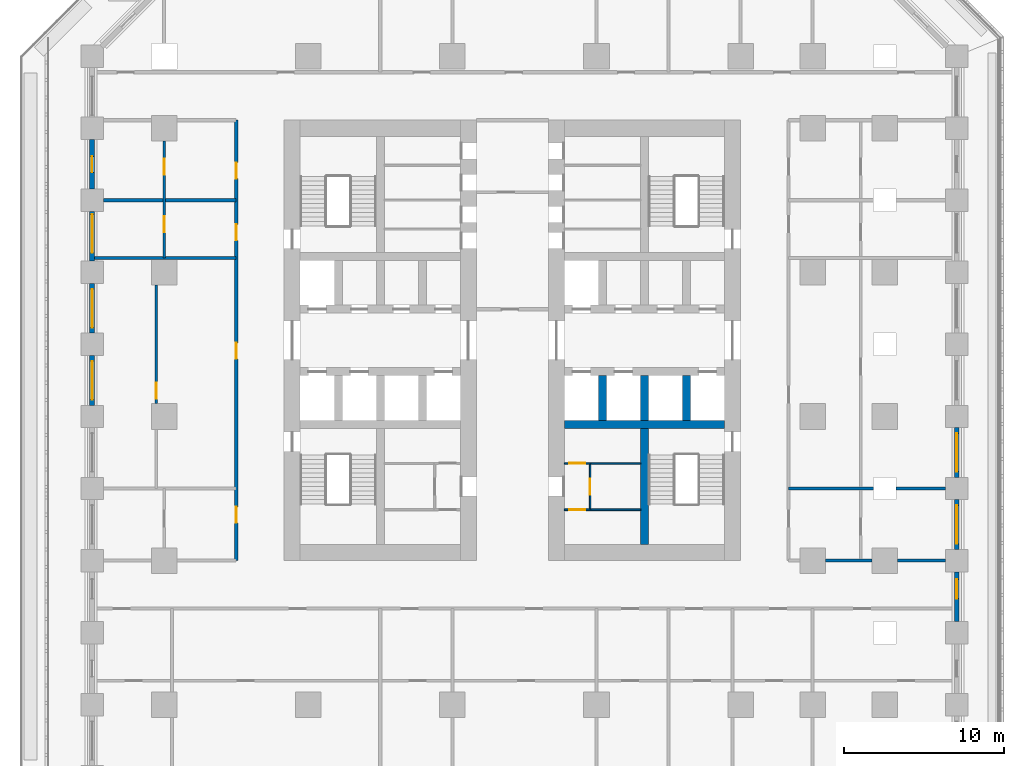
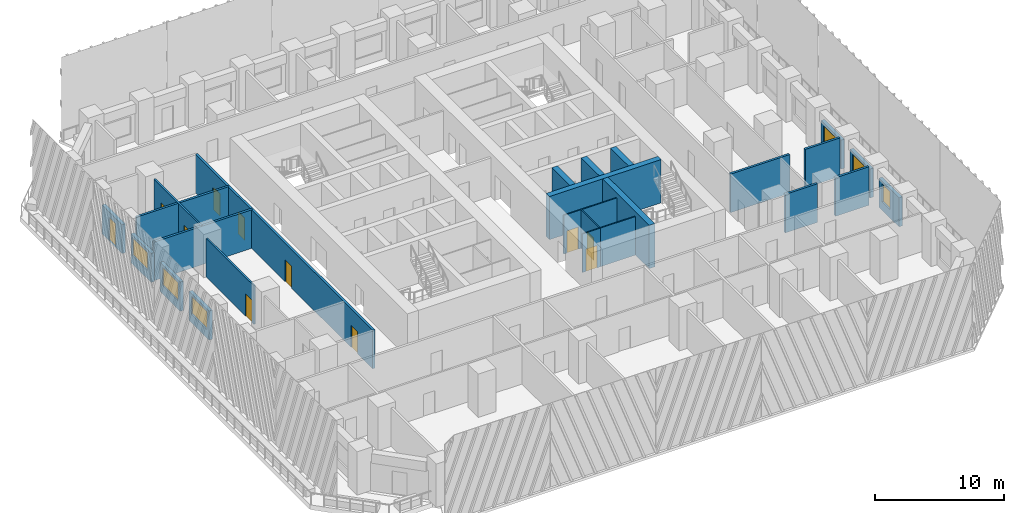
# One storey, part 5 of 15: 26 walls, 11 doors, 6 windows, 17 openings.
"""IFC4 building model written with IfcOpenShell, lengths in metres."""

from ifc_helpers import new_model, si_unit, direction, frame, frame_2d, origin, place, context, subcontext, project, spatial, rectangle, extrude, material, layer, layer_set, type_object, element, fill, save


model = new_model("IFC4")

# Units and contexts
model_context = context("Model", 3, precision=1e-05, world=origin(), true_north=direction((0.0, 1.0)))
body_context = subcontext(model_context, "Body", "Model", "MODEL_VIEW")
ifc_project = project(units=[si_unit("LENGTHUNIT", "METRE"), si_unit("AREAUNIT", "SQUARE_METRE"), si_unit("VOLUMEUNIT", "CUBIC_METRE"), si_unit("PLANEANGLEUNIT", "RADIAN"), si_unit("MASSUNIT", "GRAM", prefix="KILO")], contexts=[model_context])

# Site, building, storey
site_placement = place(None, origin())
site = spatial("IfcSite", under=ifc_project, at=site_placement, CompositionType="ELEMENT")
building_placement = place(site_placement, origin())
building = spatial("IfcBuilding", under=site, at=building_placement, Name="Corbel Stack Research Tower", CompositionType="ELEMENT")
storey_placement = place(building_placement, frame((0.0, 0.0, 41.89990234375)))
storey = spatial("IfcBuildingStorey", under=building, at=storey_placement, Name="L09", CompositionType="ELEMENT", Elevation=41.89990234375)

# Walls
ifc_material_1 = material(Name="Concrete C70/85", Category="concrete")
ifc_layer_1 = layer(ifc_material_1, 0.5)
ifc_layer_set_1 = layer_set([ifc_layer_1], Name="Concrete C70/85")
wall_type_1 = type_object("IfcWallType", Name="CW-500-70", PredefinedType="SHEAR", material=ifc_layer_set_1)
wall_1_placement = place(storey_placement, frame((7.0, -0.5, 0.0), z_axis=(0.0, 0.0, 1.0), x_axis=(1.0, 0.0, 0.0)))
element("IfcWall", 1, at=wall_1_placement, inside=storey, type_object=wall_type_1, Name="East core wall, south row back L09", PredefinedType="SHEAR", context=body_context, shape_type="SweptSolid", body=[
    extrude(rectangle(XDim=10.0, YDim=0.5, at=frame_2d((5.0, 0.0))), origin(), (0.0, 0.0, 1.0), 4.10009765625),
])
for number, where, z_axis, x_axis, name in (
    (2, (9.375, -0.25, 0.0), (0.0, 0.0, 1.0), (0.0, 1.0, 0.0), "East core wall, south shaft 1 L09"),
    (3, (12.0, -0.25, 0.0), (0.0, 0.0, 1.0), (0.0, 1.0, 0.0), "East core wall, south shaft 2 L09"),
    (4, (14.625, -0.25, 0.0), (0.0, 0.0, 1.0), (0.0, 1.0, 0.0), "East core wall, south shaft 3 L09"),
):
    element("IfcWall", number, at=place(storey_placement, frame(where, z_axis=z_axis, x_axis=x_axis)), inside=storey, type_object=wall_type_1, Name=name, PredefinedType="SHEAR", context=body_context, shape_type="SweptSolid", body=[
        extrude(rectangle(XDim=2.800048828125, YDim=0.5, at=frame_2d((1.39990234375, 0.0))), origin(), (0.0, 0.0, 1.0), 4.10009765625),
    ])
wall_2_placement = place(storey_placement, frame((12.0, -8.0, 0.0), z_axis=(0.0, 0.0, 1.0), x_axis=(0.0, 1.0, 0.0)))
element("IfcWall", 5, at=wall_2_placement, inside=storey, type_object=wall_type_1, Name="East core wall, south stair and WC L09", PredefinedType="SHEAR", context=body_context, shape_type="SweptSolid", body=[
    extrude(rectangle(XDim=7.25, YDim=0.5, at=frame_2d((3.625, 0.0))), origin(), (0.0, 0.0, 1.0), 4.10009765625),
])

# Wall, opening, door
ifc_material_2 = material(Name="Gypsum board")
ifc_layer_2 = layer(ifc_material_2, 0.10009765625)
ifc_layer_set_2 = layer_set([ifc_layer_2], Name="Gypsum board")
wall_type_2 = type_object("IfcWallType", Name="Core partition 100", PredefinedType="PARTITIONING", material=ifc_layer_set_2)
wall_3_placement = place(storey_placement, frame((7.0, -5.824951171875, 0.0), z_axis=(0.0, 0.0, 1.0), x_axis=(1.0, 0.0, 0.0)))
wall_3 = element("IfcWall", 6, at=wall_3_placement, inside=storey, type_object=wall_type_2, Name="Core partition E", PredefinedType="PARTITIONING", context=body_context, shape_type="SweptSolid", body=[
    extrude(rectangle(XDim=1.60009765625, YDim=0.10009765625, at=frame_2d((0.800048828125, 0.0))), origin(), (0.0, 0.0, 1.0), 3.650146484375),
])
opening_1_placement = place(wall_3_placement, frame((0.300048828125, 0.0, 0.0)))
opening_1 = element("IfcOpeningElement", 7, at=opening_1_placement, cuts=wall_3, Name="Opening CR-E36-W2-1000", PredefinedType="OPENING", context=body_context, shape_type="SweptSolid", body=[
    extrude(rectangle(XDim=1.0, YDim=2.10009765625, at=frame_2d((0.5, 1.050048828125))), frame((0.0, 0.06005859375, 0.0), z_axis=(0.0, -1.0, 0.0), x_axis=(1.0, 0.0, 0.0)), (0.0, 0.0, 1.0), 0.1201171875),
])
ifc_material_3 = material(Name="Painted timber door", Category="wood")
door_type_1 = type_object("IfcDoorType", Name="WC door 1000 x 2100 left hand", OperationType="SINGLE_SWING_LEFT", PredefinedType="DOOR", material=ifc_material_3)
door_1_placement = place(opening_1_placement, origin())
door_1 = element("IfcDoor", 8, at=door_1_placement, inside=storey, type_object=door_type_1, Name="Men's WC door E core", OperationType="SINGLE_SWING_LEFT", OverallHeight=2.10009765625, OverallWidth=1.0, PredefinedType="DOOR", context=body_context, shape_type="SweptSolid", body=[
    extrude(rectangle(XDim=1.0, YDim=2.10009765625, at=frame_2d((0.5, 1.050048828125))), frame((0.0, 0.02490234375, 0.0), z_axis=(0.0, -1.0, 0.0), x_axis=(1.0, 0.0, 0.0)), (0.0, 0.0, 1.0), 0.050048828125),
])
fill(opening_1, door_1)

wall_4_placement = place(storey_placement, frame((7.0, -2.925048828125, 0.0), z_axis=(0.0, 0.0, 1.0), x_axis=(1.0, 0.0, 0.0)))
wall_4 = element("IfcWall", 9, at=wall_4_placement, inside=storey, type_object=wall_type_2, Name="Core partition E", PredefinedType="PARTITIONING", context=body_context, shape_type="SweptSolid", body=[
    extrude(rectangle(XDim=1.60009765625, YDim=0.10009765625, at=frame_2d((0.800048828125, 0.0))), origin(), (0.0, 0.0, 1.0), 3.650146484375),
])
opening_2_placement = place(wall_4_placement, frame((0.300048828125, 0.0, 0.0)))
opening_2 = element("IfcOpeningElement", 10, at=opening_2_placement, cuts=wall_4, Name="Opening CR-E36-W3-1000", PredefinedType="OPENING", context=body_context, shape_type="SweptSolid", body=[
    extrude(rectangle(XDim=1.0, YDim=2.10009765625, at=frame_2d((0.5, 1.050048828125))), frame((0.0, 0.06005859375, 0.0), z_axis=(0.0, -1.0, 0.0), x_axis=(1.0, 0.0, 0.0)), (0.0, 0.0, 1.0), 0.1201171875),
])
ifc_material_4 = material(Name="Painted timber door", Category="wood")
door_type_2 = type_object("IfcDoorType", Name="WC door 1000 x 2100 right hand", OperationType="SINGLE_SWING_RIGHT", PredefinedType="DOOR", material=ifc_material_4)
door_2_placement = place(opening_2_placement, origin())
door_2 = element("IfcDoor", 11, at=door_2_placement, inside=storey, type_object=door_type_2, Name="Women's WC door E core", OperationType="SINGLE_SWING_RIGHT", OverallHeight=2.10009765625, OverallWidth=1.0, PredefinedType="DOOR", context=body_context, shape_type="SweptSolid", body=[
    extrude(rectangle(XDim=1.0, YDim=2.10009765625, at=frame_2d((0.5, 1.050048828125))), frame((0.0, 0.02490234375, 0.0), z_axis=(0.0, -1.0, 0.0), x_axis=(1.0, 0.0, 0.0)), (0.0, 0.0, 1.0), 0.050048828125),
])
fill(opening_2, door_2)

wall_5_placement = place(storey_placement, frame((8.60009765625, -5.824951171875, 0.0), z_axis=(0.0, 0.0, 1.0), x_axis=(0.0, 1.0, 0.0)))
wall_5 = element("IfcWall", 12, at=wall_5_placement, inside=storey, type_object=wall_type_2, Name="Core partition E", PredefinedType="PARTITIONING", context=body_context, shape_type="SweptSolid", body=[
    extrude(rectangle(XDim=2.89990234375, YDim=0.10009765625, at=frame_2d((1.449951171875, 0.0))), origin(), (0.0, 0.0, 1.0), 3.650146484375),
])
opening_3_placement = place(wall_5_placement, frame((0.949951171875, 0.0, 0.0)))
opening_3 = element("IfcOpeningElement", 13, at=opening_3_placement, cuts=wall_5, Name="Opening CR-E36-W4-1000", PredefinedType="OPENING", context=body_context, shape_type="SweptSolid", body=[
    extrude(rectangle(XDim=1.0, YDim=2.10009765625, at=frame_2d((0.5, 1.050048828125))), frame((0.0, 0.06005859375, 0.0), z_axis=(0.0, -1.0, 0.0), x_axis=(1.0, 0.0, 0.0)), (0.0, 0.0, 1.0), 0.1201171875),
])
door_3_placement = place(opening_3_placement, origin())
door_3 = element("IfcDoor", 14, at=door_3_placement, inside=storey, type_object=door_type_1, Name="Accessible WC door E core", OperationType="SINGLE_SWING_LEFT", OverallHeight=2.10009765625, OverallWidth=1.0, PredefinedType="DOOR", context=body_context, shape_type="SweptSolid", body=[
    extrude(rectangle(XDim=1.0, YDim=2.10009765625, at=frame_2d((0.5, 1.050048828125))), frame((0.0, 0.02490234375, 0.0), z_axis=(0.0, -1.0, 0.0), x_axis=(1.0, 0.0, 0.0)), (0.0, 0.0, 1.0), 0.050048828125),
])
fill(opening_3, door_3)

# Walls
for number, where, z_axis, x_axis, name in (
    (15, (8.60009765625, -5.824951171875, 0.0), (0.0, 0.0, 1.0), (1.0, 0.0, 0.0), "Core partition E"),
    (16, (8.60009765625, -2.925048828125, 0.0), (0.0, 0.0, 1.0), (1.0, 0.0, 0.0), "Core partition E"),
):
    element("IfcWall", number, at=place(storey_placement, frame(where, z_axis=z_axis, x_axis=x_axis)), inside=storey, type_object=wall_type_2, Name=name, PredefinedType="PARTITIONING", context=body_context, shape_type="SweptSolid", body=[
        extrude(rectangle(XDim=3.14990234375, YDim=0.10009765625, at=frame_2d((1.574951171875, 0.0))), origin(), (0.0, 0.0, 1.0), 3.650146484375),
    ])

# Wall, openings, doors
ifc_material_5 = material(Name="Fire-rated gypsum board partition on steel studs", Category="steel")
ifc_layer_3 = layer(ifc_material_5, 0.199951171875)
ifc_layer_set_3 = layer_set([ifc_layer_3], Name="Fire-rated gypsum board partition on steel studs")
wall_type_3 = type_object("IfcWallType", Name="Fire-rated partition 200 EI 60", PredefinedType="PARTITIONING", material=ifc_layer_set_3)
wall_6_placement = place(storey_placement, frame((-13.5, -9.0, 0.0), z_axis=(0.0, 0.0, 1.0), x_axis=(0.0, 1.0, 0.0)))
wall_6 = element("IfcWall", 17, at=wall_6_placement, inside=storey, type_object=wall_type_3, Name="Partition L09-008", PredefinedType="PARTITIONING", context=body_context, shape_type="SweptSolid", body=[
    extrude(rectangle(XDim=27.5, YDim=0.199951171875, at=frame_2d((13.75, 0.0))), origin(), (0.0, 0.0, 1.0), 3.650146484375),
])
opening_4_placement = place(wall_6_placement, frame((2.35009765625, 0.0, 0.0)))
opening_4 = element("IfcOpeningElement", 18, at=opening_4_placement, cuts=wall_6, Name="Opening B2V0H-013", PredefinedType="OPENING", context=body_context, shape_type="SweptSolid", body=[
    extrude(rectangle(XDim=1.0, YDim=2.10009765625, at=frame_2d((0.5, 1.050048828125))), frame((0.0, 0.10986328125, 0.0), z_axis=(0.0, -1.0, 0.0), x_axis=(1.0, 0.0, 0.0)), (0.0, 0.0, 1.0), 0.219970703125),
])
opening_5_placement = place(wall_6_placement, frame((12.60009765625, 0.0, 0.0)))
opening_5 = element("IfcOpeningElement", 19, at=opening_5_placement, cuts=wall_6, Name="Opening B2V0H-014", PredefinedType="OPENING", context=body_context, shape_type="SweptSolid", body=[
    extrude(rectangle(XDim=1.0, YDim=2.10009765625, at=frame_2d((0.5, 1.050048828125))), frame((0.0, 0.10986328125, 0.0), z_axis=(0.0, -1.0, 0.0), x_axis=(1.0, 0.0, 0.0)), (0.0, 0.0, 1.0), 0.219970703125),
])
opening_6_placement = place(wall_6_placement, frame((20.0, 0.0, 0.0)))
opening_6 = element("IfcOpeningElement", 20, at=opening_6_placement, cuts=wall_6, Name="Opening B2V0H-015", PredefinedType="OPENING", context=body_context, shape_type="SweptSolid", body=[
    extrude(rectangle(XDim=1.0, YDim=2.10009765625, at=frame_2d((0.5, 1.050048828125))), frame((0.0, 0.10986328125, 0.0), z_axis=(0.0, -1.0, 0.0), x_axis=(1.0, 0.0, 0.0)), (0.0, 0.0, 1.0), 0.219970703125),
])
opening_7_placement = place(wall_6_placement, frame((23.85009765625, 0.0, 0.0)))
opening_7 = element("IfcOpeningElement", 21, at=opening_7_placement, cuts=wall_6, Name="Opening B2V0H-016", PredefinedType="OPENING", context=body_context, shape_type="SweptSolid", body=[
    extrude(rectangle(XDim=1.0, YDim=2.10009765625, at=frame_2d((0.5, 1.050048828125))), frame((0.0, 0.10986328125, 0.0), z_axis=(0.0, -1.0, 0.0), x_axis=(1.0, 0.0, 0.0)), (0.0, 0.0, 1.0), 0.219970703125),
])
ifc_material_6 = material(Name="Painted steel fire door", Category="steel")
door_type_3 = type_object("IfcDoorType", Name="Fire door FD30S 1000 x 2100", OperationType="NOTDEFINED", PredefinedType="DOOR", material=ifc_material_6)
door_4_placement = place(opening_4_placement, origin())
door_4 = element("IfcDoor", 22, at=door_4_placement, inside=storey, type_object=door_type_3, Name="Door B2V0H-013", OperationType="SINGLE_SWING_LEFT", OverallHeight=2.10009765625, OverallWidth=1.0, PredefinedType="DOOR", context=body_context, shape_type="SweptSolid", body=[
    extrude(rectangle(XDim=1.0, YDim=2.10009765625, at=frame_2d((0.5, 1.050048828125))), frame((0.0, 0.02490234375, 0.0), z_axis=(0.0, -1.0, 0.0), x_axis=(1.0, 0.0, 0.0)), (0.0, 0.0, 1.0), 0.050048828125),
])
fill(opening_4, door_4)
door_5_placement = place(opening_5_placement, origin())
door_5 = element("IfcDoor", 23, at=door_5_placement, inside=storey, type_object=door_type_3, Name="Door B2V0H-014", OperationType="SINGLE_SWING_LEFT", OverallHeight=2.10009765625, OverallWidth=1.0, PredefinedType="DOOR", context=body_context, shape_type="SweptSolid", body=[
    extrude(rectangle(XDim=1.0, YDim=2.10009765625, at=frame_2d((0.5, 1.050048828125))), frame((0.0, 0.02490234375, 0.0), z_axis=(0.0, -1.0, 0.0), x_axis=(1.0, 0.0, 0.0)), (0.0, 0.0, 1.0), 0.050048828125),
])
fill(opening_5, door_5)
door_6_placement = place(opening_6_placement, origin())
door_6 = element("IfcDoor", 24, at=door_6_placement, inside=storey, type_object=door_type_3, Name="Door B2V0H-015", OperationType="SINGLE_SWING_RIGHT", OverallHeight=2.10009765625, OverallWidth=1.0, PredefinedType="DOOR", context=body_context, shape_type="SweptSolid", body=[
    extrude(rectangle(XDim=1.0, YDim=2.10009765625, at=frame_2d((0.5, 1.050048828125))), frame((0.0, 0.02490234375, 0.0), z_axis=(0.0, -1.0, 0.0), x_axis=(1.0, 0.0, 0.0)), (0.0, 0.0, 1.0), 0.050048828125),
])
fill(opening_6, door_6)
door_7_placement = place(opening_7_placement, origin())
door_7 = element("IfcDoor", 25, at=door_7_placement, inside=storey, type_object=door_type_3, Name="Door B2V0H-016", OperationType="SINGLE_SWING_RIGHT", OverallHeight=2.10009765625, OverallWidth=1.0, PredefinedType="DOOR", context=body_context, shape_type="SweptSolid", body=[
    extrude(rectangle(XDim=1.0, YDim=2.10009765625, at=frame_2d((0.5, 1.050048828125))), frame((0.0, 0.02490234375, 0.0), z_axis=(0.0, -1.0, 0.0), x_axis=(1.0, 0.0, 0.0)), (0.0, 0.0, 1.0), 0.050048828125),
])
fill(opening_7, door_7)

# Walls
wall_7_placement = place(storey_placement, frame((23.300048828125, -9.0, 0.0), z_axis=(0.0, 0.0, 1.0), x_axis=(1.0, 0.0, 0.0)))
element("IfcWall", 26, at=wall_7_placement, inside=storey, type_object=wall_type_3, Name="Partition L09-032", PredefinedType="PARTITIONING", context=body_context, shape_type="SweptSolid", body=[
    extrude(rectangle(XDim=2.89990234375, YDim=0.199951171875, at=frame_2d((1.449951171875, 0.0))), origin(), (0.0, 0.0, 1.0), 3.650146484375),
])
wall_8_placement = place(storey_placement, frame((27.800048828125, -9.0, 0.0), z_axis=(0.0, 0.0, 1.0), x_axis=(1.0, 0.0, 0.0)))
element("IfcWall", 27, at=wall_8_placement, inside=storey, type_object=wall_type_3, Name="Partition L09-033", PredefinedType="PARTITIONING", context=body_context, shape_type="SweptSolid", body=[
    extrude(rectangle(XDim=3.0, YDim=0.199951171875, at=frame_2d((1.5, 0.0))), origin(), (0.0, 0.0, 1.0), 3.650146484375),
])
wall_9_placement = place(storey_placement, frame((21.0, -4.5, 0.0), z_axis=(0.0, 0.0, 1.0), x_axis=(1.0, 0.0, 0.0)))
element("IfcWall", 28, at=wall_9_placement, inside=storey, type_object=wall_type_3, Name="Partition L09-035", PredefinedType="PARTITIONING", context=body_context, shape_type="SweptSolid", body=[
    extrude(rectangle(XDim=5.300048828125, YDim=0.199951171875, at=frame_2d((2.64990234375, 0.0))), origin(), (0.0, 0.0, 1.0), 3.650146484375),
])
wall_10_placement = place(storey_placement, frame((27.699951171875, -4.5, 0.0), z_axis=(0.0, 0.0, 1.0), x_axis=(1.0, 0.0, 0.0)))
element("IfcWall", 29, at=wall_10_placement, inside=storey, type_object=wall_type_3, Name="Partition L09-036", PredefinedType="PARTITIONING", context=body_context, shape_type="SweptSolid", body=[
    extrude(rectangle(XDim=3.10009765625, YDim=0.199951171875, at=frame_2d((1.550048828125, 0.0))), origin(), (0.0, 0.0, 1.0), 3.650146484375),
])
wall_11_placement = place(storey_placement, frame((-22.35009765625, 9.89990234375, 0.0), z_axis=(0.0, 0.0, 1.0), x_axis=(1.0, 0.0, 0.0)))
element("IfcWall", 30, at=wall_11_placement, inside=storey, type_object=wall_type_3, Name="Partition L09-038", PredefinedType="PARTITIONING", context=body_context, shape_type="SweptSolid", body=[
    extrude(rectangle(XDim=8.85009765625, YDim=0.199951171875, at=frame_2d((4.425048828125, 0.0))), origin(), (0.0, 0.0, 1.0), 3.650146484375),
])
wall_12_placement = place(storey_placement, frame((-21.800048828125, 13.5, 0.0), z_axis=(0.0, 0.0, 1.0), x_axis=(1.0, 0.0, 0.0)))
element("IfcWall", 31, at=wall_12_placement, inside=storey, type_object=wall_type_3, Name="Partition L09-040", PredefinedType="PARTITIONING", context=body_context, shape_type="SweptSolid", body=[
    extrude(rectangle(XDim=8.300048828125, YDim=0.199951171875, at=frame_2d((4.14990234375, 0.0))), origin(), (0.0, 0.0, 1.0), 3.650146484375),
])

# Wall, opening, door
ifc_material_7 = material(Name="Gypsum board partition on steel studs", Category="steel")
ifc_layer_4 = layer(ifc_material_7, 0.14990234375)
ifc_layer_set_4 = layer_set([ifc_layer_4], Name="Gypsum board partition on steel studs")
wall_type_4 = type_object("IfcWallType", Name="Partition 150", PredefinedType="PARTITIONING", material=ifc_layer_set_4)
wall_13_placement = place(storey_placement, frame((-18.5, 0.800048828125, 0.0), z_axis=(0.0, 0.0, 1.0), x_axis=(0.0, 1.0, 0.0)))
wall_13 = element("IfcWall", 32, at=wall_13_placement, inside=storey, type_object=wall_type_4, Name="Partition L09-002", PredefinedType="PARTITIONING", context=body_context, shape_type="SweptSolid", body=[
    extrude(rectangle(XDim=7.39990234375, YDim=0.14990234375, at=frame_2d((3.699951171875, 0.0))), origin(), (0.0, 0.0, 1.0), 3.650146484375),
])
opening_8_placement = place(wall_13_placement, frame((0.300048828125, 0.0, 0.0)))
opening_8 = element("IfcOpeningElement", 33, at=opening_8_placement, cuts=wall_13, Name="Opening B2V0H-001", PredefinedType="OPENING", context=body_context, shape_type="SweptSolid", body=[
    extrude(rectangle(XDim=1.0, YDim=2.10009765625, at=frame_2d((0.5, 1.050048828125))), frame((0.0, 0.0849609375, 0.0), z_axis=(0.0, -1.0, 0.0), x_axis=(1.0, 0.0, 0.0)), (0.0, 0.0, 1.0), 0.169921875),
])
ifc_material_8 = material(Name="Painted timber door", Category="wood")
door_type_4 = type_object("IfcDoorType", Name="Single door 1000 x 2100", OperationType="NOTDEFINED", PredefinedType="DOOR", material=ifc_material_8)
door_8_placement = place(opening_8_placement, origin())
door_8 = element("IfcDoor", 34, at=door_8_placement, inside=storey, type_object=door_type_4, Name="Door B2V0H-001", OperationType="SINGLE_SWING_LEFT", OverallHeight=2.10009765625, OverallWidth=1.0, PredefinedType="DOOR", context=body_context, shape_type="SweptSolid", body=[
    extrude(rectangle(XDim=1.0, YDim=2.10009765625, at=frame_2d((0.5, 1.050048828125))), frame((0.0, 0.02490234375, 0.0), z_axis=(0.0, -1.0, 0.0), x_axis=(1.0, 0.0, 0.0)), (0.0, 0.0, 1.0), 0.050048828125),
])
fill(opening_8, door_8)

# Wall, openings, doors
wall_14_placement = place(storey_placement, frame((-18.0, 9.89990234375, 0.0), z_axis=(0.0, 0.0, 1.0), x_axis=(0.0, 1.0, 0.0)))
wall_14 = element("IfcWall", 35, at=wall_14_placement, inside=storey, type_object=wall_type_4, Name="Partition L09-004", PredefinedType="PARTITIONING", context=body_context, shape_type="SweptSolid", body=[
    extrude(rectangle(XDim=7.300048828125, YDim=0.14990234375, at=frame_2d((3.64990234375, 0.0))), origin(), (0.0, 0.0, 1.0), 3.650146484375),
])
opening_9_placement = place(wall_14_placement, frame((1.60009765625, 0.0, 0.0)))
opening_9 = element("IfcOpeningElement", 36, at=opening_9_placement, cuts=wall_14, Name="Opening B2V0H-003", PredefinedType="OPENING", context=body_context, shape_type="SweptSolid", body=[
    extrude(rectangle(XDim=1.0, YDim=2.10009765625, at=frame_2d((0.5, 1.050048828125))), frame((0.0, 0.0849609375, 0.0), z_axis=(0.0, -1.0, 0.0), x_axis=(1.0, 0.0, 0.0)), (0.0, 0.0, 1.0), 0.169921875),
])
opening_10_placement = place(wall_14_placement, frame((5.199951171875, 0.0, 0.0)))
opening_10 = element("IfcOpeningElement", 37, at=opening_10_placement, cuts=wall_14, Name="Opening B2V0H-004", PredefinedType="OPENING", context=body_context, shape_type="SweptSolid", body=[
    extrude(rectangle(XDim=1.0, YDim=2.10009765625, at=frame_2d((0.5, 1.050048828125))), frame((0.0, 0.0849609375, 0.0), z_axis=(0.0, -1.0, 0.0), x_axis=(1.0, 0.0, 0.0)), (0.0, 0.0, 1.0), 0.169921875),
])
door_9_placement = place(opening_9_placement, origin())
door_9 = element("IfcDoor", 38, at=door_9_placement, inside=storey, type_object=door_type_4, Name="Door B2V0H-003", OperationType="SINGLE_SWING_LEFT", OverallHeight=2.10009765625, OverallWidth=1.0, PredefinedType="DOOR", context=body_context, shape_type="SweptSolid", body=[
    extrude(rectangle(XDim=1.0, YDim=2.10009765625, at=frame_2d((0.5, 1.050048828125))), frame((0.0, 0.02490234375, 0.0), z_axis=(0.0, -1.0, 0.0), x_axis=(1.0, 0.0, 0.0)), (0.0, 0.0, 1.0), 0.050048828125),
])
fill(opening_9, door_9)
door_10_placement = place(opening_10_placement, origin())
door_10 = element("IfcDoor", 39, at=door_10_placement, inside=storey, type_object=door_type_4, Name="Door B2V0H-004", OperationType="SINGLE_SWING_RIGHT", OverallHeight=2.10009765625, OverallWidth=1.0, PredefinedType="DOOR", context=body_context, shape_type="SweptSolid", body=[
    extrude(rectangle(XDim=1.0, YDim=2.10009765625, at=frame_2d((0.5, 1.050048828125))), frame((0.0, 0.02490234375, 0.0), z_axis=(0.0, -1.0, 0.0), x_axis=(1.0, 0.0, 0.0)), (0.0, 0.0, 1.0), 0.050048828125),
])
fill(opening_10, door_10)

# Wall, opening, window
ifc_material_9 = material(Name="Concrete C45/55", Category="concrete")
ifc_layer_5 = layer(ifc_material_9, 0.300048828125)
ifc_layer_set_5 = layer_set([ifc_layer_5], Name="Concrete C45/55")
wall_type_5 = type_object("IfcWallType", Name="Terracotta-faced concrete wall 300", PredefinedType="SOLIDWALL", material=ifc_layer_set_5)
wall_15_placement = place(storey_placement, frame((31.5, -9.699951171875, 0.0), z_axis=(0.0, 0.0, 1.0), x_axis=(0.0, -1.0, 0.0)))
wall_15 = element("IfcWall", 40, at=wall_15_placement, inside=storey, type_object=wall_type_5, Name="Facade wall L09 E03", PredefinedType="SOLIDWALL", context=body_context, shape_type="SweptSolid", body=[
    extrude(rectangle(XDim=3.10009765625, YDim=0.300048828125, at=frame_2d((1.550048828125, 0.0))), origin(), (0.0, 0.0, 1.0), 2.75),
])
opening_11_placement = place(wall_15_placement, frame((0.47509765625, 0.0, 0.800048828125)))
opening_11 = element("IfcOpeningElement", 41, at=opening_11_placement, cuts=wall_15, Name="Opening W2", PredefinedType="OPENING", context=body_context, shape_type="SweptSolid", body=[
    extrude(rectangle(XDim=1.199951171875, YDim=1.699951171875, at=frame_2d((0.60009765625, 0.85009765625))), frame((0.0, 0.159912109375, 0.0), z_axis=(0.0, -1.0, 0.0), x_axis=(1.0, 0.0, 0.0)), (0.0, 0.0, 1.0), 0.320068359375),
])
ifc_material_10 = material(Name="Aluminium frame, clear double glazing", Category="aluminium")
window_type_1 = type_object("IfcWindowType", Name="Window W2 1200 x 1700", PartitioningType="SINGLE_PANEL", PredefinedType="WINDOW", material=ifc_material_10)
window_1_placement = place(opening_11_placement, origin())
window_1 = element("IfcWindow", 42, at=window_1_placement, inside=storey, type_object=window_type_1, Name="Window W2 L09 E03", OverallHeight=1.699951171875, OverallWidth=1.199951171875, PartitioningType="SINGLE_PANEL", PredefinedType="WINDOW", context=body_context, shape_type="SweptSolid", body=[
    extrude(rectangle(XDim=1.199951171875, YDim=1.699951171875, at=frame_2d((0.60009765625, 0.85009765625))), frame((0.0, 0.030029296875, 0.0), z_axis=(0.0, -1.0, 0.0), x_axis=(1.0, 0.0, 0.0)), (0.0, 0.0, 1.0), 0.06005859375),
])
fill(opening_11, window_1)

wall_16_placement = place(storey_placement, frame((31.5, -5.199951171875, 0.0), z_axis=(0.0, 0.0, 1.0), x_axis=(0.0, -1.0, 0.0)))
wall_16 = element("IfcWall", 43, at=wall_16_placement, inside=storey, type_object=wall_type_5, Name="Facade wall L09 E04", PredefinedType="SOLIDWALL", context=body_context, shape_type="SweptSolid", body=[
    extrude(rectangle(XDim=3.10009765625, YDim=0.300048828125, at=frame_2d((1.550048828125, 0.0))), origin(), (0.0, 0.0, 1.0), 2.75),
])
opening_12_placement = place(wall_16_placement, frame((0.35009765625, 0.0, 0.800048828125)))
opening_12 = element("IfcOpeningElement", 44, at=opening_12_placement, cuts=wall_16, Name="Opening W1", PredefinedType="OPENING", context=body_context, shape_type="SweptSolid", body=[
    extrude(rectangle(XDim=2.39990234375, YDim=1.699951171875, at=frame_2d((1.199951171875, 0.85009765625))), frame((0.0, 0.159912109375, 0.0), z_axis=(0.0, -1.0, 0.0), x_axis=(1.0, 0.0, 0.0)), (0.0, 0.0, 1.0), 0.320068359375),
])
ifc_material_11 = material(Name="Aluminium frame, clear double glazing", Category="aluminium")
window_type_2 = type_object("IfcWindowType", Name="Window W1 2400 x 1700", PartitioningType="SINGLE_PANEL", PredefinedType="WINDOW", material=ifc_material_11)
window_2_placement = place(opening_12_placement, origin())
window_2 = element("IfcWindow", 45, at=window_2_placement, inside=storey, type_object=window_type_2, Name="Window W1 L09 E04", OverallHeight=1.699951171875, OverallWidth=2.39990234375, PartitioningType="SINGLE_PANEL", PredefinedType="WINDOW", context=body_context, shape_type="SweptSolid", body=[
    extrude(rectangle(XDim=2.39990234375, YDim=1.699951171875, at=frame_2d((1.199951171875, 0.85009765625))), frame((0.0, 0.030029296875, 0.0), z_axis=(0.0, -1.0, 0.0), x_axis=(1.0, 0.0, 0.0)), (0.0, 0.0, 1.0), 0.06005859375),
])
fill(opening_12, window_2)

wall_17_placement = place(storey_placement, frame((31.5, -0.699951171875, 0.0), z_axis=(0.0, 0.0, 1.0), x_axis=(0.0, -1.0, 0.0)))
wall_17 = element("IfcWall", 46, at=wall_17_placement, inside=storey, type_object=wall_type_5, Name="Facade wall L09 E05", PredefinedType="SOLIDWALL", context=body_context, shape_type="SweptSolid", body=[
    extrude(rectangle(XDim=3.10009765625, YDim=0.300048828125, at=frame_2d((1.550048828125, 0.0))), origin(), (0.0, 0.0, 1.0), 2.75),
])
opening_13_placement = place(wall_17_placement, frame((0.35009765625, 0.0, 0.800048828125)))
opening_13 = element("IfcOpeningElement", 47, at=opening_13_placement, cuts=wall_17, Name="Opening W1", PredefinedType="OPENING", context=body_context, shape_type="SweptSolid", body=[
    extrude(rectangle(XDim=2.39990234375, YDim=1.699951171875, at=frame_2d((1.199951171875, 0.85009765625))), frame((0.0, 0.159912109375, 0.0), z_axis=(0.0, -1.0, 0.0), x_axis=(1.0, 0.0, 0.0)), (0.0, 0.0, 1.0), 0.320068359375),
])
window_3_placement = place(opening_13_placement, origin())
window_3 = element("IfcWindow", 48, at=window_3_placement, inside=storey, type_object=window_type_2, Name="Window W1 L09 E05", OverallHeight=1.699951171875, OverallWidth=2.39990234375, PartitioningType="SINGLE_PANEL", PredefinedType="WINDOW", context=body_context, shape_type="SweptSolid", body=[
    extrude(rectangle(XDim=2.39990234375, YDim=1.699951171875, at=frame_2d((1.199951171875, 0.85009765625))), frame((0.0, 0.030029296875, 0.0), z_axis=(0.0, -1.0, 0.0), x_axis=(1.0, 0.0, 0.0)), (0.0, 0.0, 1.0), 0.06005859375),
])
fill(opening_13, window_3)

# Wall, opening, door
wall_18_placement = place(storey_placement, frame((-22.5, 14.199951171875, 0.0), z_axis=(0.0, 0.0, 1.0), x_axis=(0.0, 1.0, 0.0)))
wall_18 = element("IfcWall", 49, at=wall_18_placement, inside=storey, type_object=wall_type_5, Name="Facade wall L09 W02", PredefinedType="SOLIDWALL", context=body_context, shape_type="SweptSolid", body=[
    extrude(rectangle(XDim=3.10009765625, YDim=0.300048828125, at=frame_2d((1.550048828125, 0.0))), origin(), (0.0, 0.0, 1.0), 2.75),
])
opening_14_placement = place(wall_18_placement, frame((1.050048828125, 0.0, 0.0)))
opening_14 = element("IfcOpeningElement", 50, at=opening_14_placement, cuts=wall_18, Name="Opening L09-B10", PredefinedType="OPENING", context=body_context, shape_type="SweptSolid", body=[
    extrude(rectangle(XDim=1.0, YDim=2.199951171875, at=frame_2d((0.5, 1.10009765625))), frame((0.0, 0.159912109375, 0.0), z_axis=(0.0, -1.0, 0.0), x_axis=(1.0, 0.0, 0.0)), (0.0, 0.0, 1.0), 0.320068359375),
])
ifc_material_12 = material(Name="Aluminium frame, clear double glazing", Category="aluminium")
door_type_5 = type_object("IfcDoorType", Name="Balcony door BD1 1000 x 2200", OperationType="NOTDEFINED", PredefinedType="DOOR", material=ifc_material_12)
door_11_placement = place(opening_14_placement, origin())
door_11 = element("IfcDoor", 51, at=door_11_placement, inside=storey, type_object=door_type_5, Name="Balcony door L09-B10", OperationType="SINGLE_SWING_LEFT", OverallHeight=2.199951171875, OverallWidth=1.0, PredefinedType="DOOR", context=body_context, shape_type="SweptSolid", body=[
    extrude(rectangle(XDim=1.0, YDim=2.199951171875, at=frame_2d((0.5, 1.10009765625))), frame((0.0, 0.02490234375, 0.0), z_axis=(0.0, -1.0, 0.0), x_axis=(1.0, 0.0, 0.0)), (0.0, 0.0, 1.0), 0.050048828125),
])
fill(opening_14, door_11)

# Wall, opening, window
wall_19_placement = place(storey_placement, frame((-22.5, 9.699951171875, 0.0), z_axis=(0.0, 0.0, 1.0), x_axis=(0.0, 1.0, 0.0)))
wall_19 = element("IfcWall", 52, at=wall_19_placement, inside=storey, type_object=wall_type_5, Name="Facade wall L09 W03", PredefinedType="SOLIDWALL", context=body_context, shape_type="SweptSolid", body=[
    extrude(rectangle(XDim=3.10009765625, YDim=0.300048828125, at=frame_2d((1.550048828125, 0.0))), origin(), (0.0, 0.0, 1.0), 2.75),
])
opening_15_placement = place(wall_19_placement, frame((0.52490234375, 0.0, 0.800048828125)))
opening_15 = element("IfcOpeningElement", 53, at=opening_15_placement, cuts=wall_19, Name="Opening W1", PredefinedType="OPENING", context=body_context, shape_type="SweptSolid", body=[
    extrude(rectangle(XDim=2.39990234375, YDim=1.699951171875, at=frame_2d((1.199951171875, 0.85009765625))), frame((0.0, 0.159912109375, 0.0), z_axis=(0.0, -1.0, 0.0), x_axis=(1.0, 0.0, 0.0)), (0.0, 0.0, 1.0), 0.320068359375),
])
window_4_placement = place(opening_15_placement, origin())
window_4 = element("IfcWindow", 54, at=window_4_placement, inside=storey, type_object=window_type_2, Name="Window W1 L09 W03", OverallHeight=1.699951171875, OverallWidth=2.39990234375, PartitioningType="SINGLE_PANEL", PredefinedType="WINDOW", context=body_context, shape_type="SweptSolid", body=[
    extrude(rectangle(XDim=2.39990234375, YDim=1.699951171875, at=frame_2d((1.199951171875, 0.85009765625))), frame((0.0, 0.030029296875, 0.0), z_axis=(0.0, -1.0, 0.0), x_axis=(1.0, 0.0, 0.0)), (0.0, 0.0, 1.0), 0.06005859375),
])
fill(opening_15, window_4)

wall_20_placement = place(storey_placement, frame((-22.5, 5.199951171875, 0.0), z_axis=(0.0, 0.0, 1.0), x_axis=(0.0, 1.0, 0.0)))
wall_20 = element("IfcWall", 55, at=wall_20_placement, inside=storey, type_object=wall_type_5, Name="Facade wall L09 W04", PredefinedType="SOLIDWALL", context=body_context, shape_type="SweptSolid", body=[
    extrude(rectangle(XDim=3.10009765625, YDim=0.300048828125, at=frame_2d((1.550048828125, 0.0))), origin(), (0.0, 0.0, 1.0), 2.75),
])
opening_16_placement = place(wall_20_placement, frame((0.35009765625, 0.0, 0.800048828125)))
opening_16 = element("IfcOpeningElement", 56, at=opening_16_placement, cuts=wall_20, Name="Opening W1", PredefinedType="OPENING", context=body_context, shape_type="SweptSolid", body=[
    extrude(rectangle(XDim=2.39990234375, YDim=1.699951171875, at=frame_2d((1.199951171875, 0.85009765625))), frame((0.0, 0.159912109375, 0.0), z_axis=(0.0, -1.0, 0.0), x_axis=(1.0, 0.0, 0.0)), (0.0, 0.0, 1.0), 0.320068359375),
])
window_5_placement = place(opening_16_placement, origin())
window_5 = element("IfcWindow", 57, at=window_5_placement, inside=storey, type_object=window_type_2, Name="Window W1 L09 W04", OverallHeight=1.699951171875, OverallWidth=2.39990234375, PartitioningType="SINGLE_PANEL", PredefinedType="WINDOW", context=body_context, shape_type="SweptSolid", body=[
    extrude(rectangle(XDim=2.39990234375, YDim=1.699951171875, at=frame_2d((1.199951171875, 0.85009765625))), frame((0.0, 0.030029296875, 0.0), z_axis=(0.0, -1.0, 0.0), x_axis=(1.0, 0.0, 0.0)), (0.0, 0.0, 1.0), 0.06005859375),
])
fill(opening_16, window_5)

wall_21_placement = place(storey_placement, frame((-22.5, 0.699951171875, 0.0), z_axis=(0.0, 0.0, 1.0), x_axis=(0.0, 1.0, 0.0)))
wall_21 = element("IfcWall", 58, at=wall_21_placement, inside=storey, type_object=wall_type_5, Name="Facade wall L09 W05", PredefinedType="SOLIDWALL", context=body_context, shape_type="SweptSolid", body=[
    extrude(rectangle(XDim=3.10009765625, YDim=0.300048828125, at=frame_2d((1.550048828125, 0.0))), origin(), (0.0, 0.0, 1.0), 2.75),
])
opening_17_placement = place(wall_21_placement, frame((0.35009765625, 0.0, 0.800048828125)))
opening_17 = element("IfcOpeningElement", 59, at=opening_17_placement, cuts=wall_21, Name="Opening W1", PredefinedType="OPENING", context=body_context, shape_type="SweptSolid", body=[
    extrude(rectangle(XDim=2.39990234375, YDim=1.699951171875, at=frame_2d((1.199951171875, 0.85009765625))), frame((0.0, 0.159912109375, 0.0), z_axis=(0.0, -1.0, 0.0), x_axis=(1.0, 0.0, 0.0)), (0.0, 0.0, 1.0), 0.320068359375),
])
window_6_placement = place(opening_17_placement, origin())
window_6 = element("IfcWindow", 60, at=window_6_placement, inside=storey, type_object=window_type_2, Name="Window W1 L09 W05", OverallHeight=1.699951171875, OverallWidth=2.39990234375, PartitioningType="SINGLE_PANEL", PredefinedType="WINDOW", context=body_context, shape_type="SweptSolid", body=[
    extrude(rectangle(XDim=2.39990234375, YDim=1.699951171875, at=frame_2d((1.199951171875, 0.85009765625))), frame((0.0, 0.030029296875, 0.0), z_axis=(0.0, -1.0, 0.0), x_axis=(1.0, 0.0, 0.0)), (0.0, 0.0, 1.0), 0.06005859375),
])
fill(opening_17, window_6)

save(model, "model.ifc")
